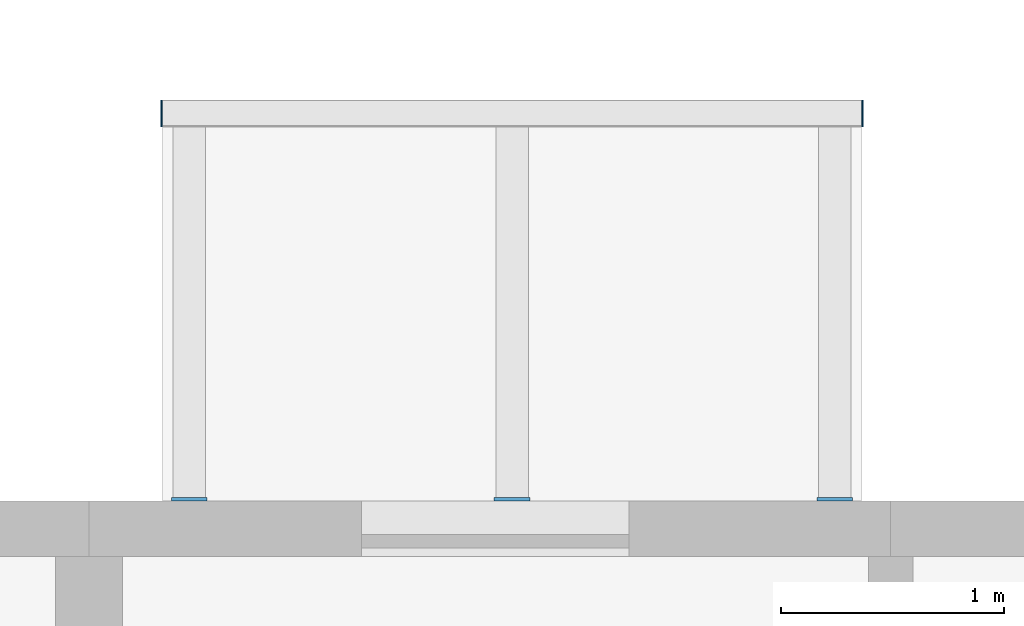
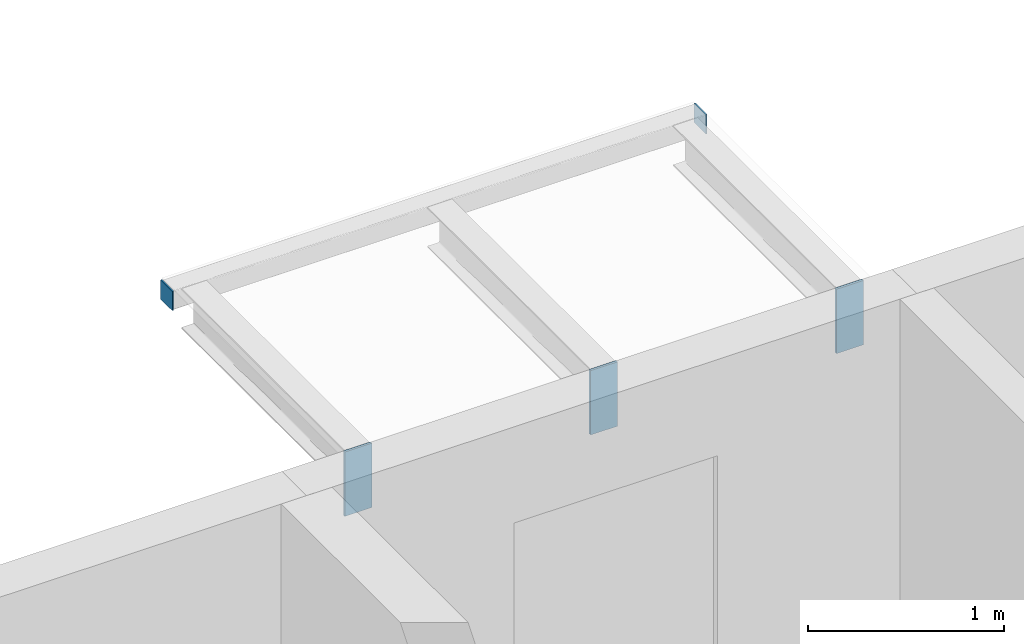
# One storey, part 65 of 87: 5 discrete accessories.
"""IFC4 building model written with IfcOpenShell, lengths in metres."""

import ifcopenshell
import ifcopenshell.guid

model = None  # the IFC model being written
_history = None  # IfcOwnerHistory: only IFC2X3 demands one
_inside = {}  # id of a spatial element -> (the spatial element, [elements in it])
_under = {}  # id of a project, library or spatial element -> (it, [spatial elements below it])
_declared = {}  # id of a project -> (the project, [libraries it declares])
_typed = {}  # id of a type object -> (the type object, [elements of that type])
_made_of = {}  # id of a material, layer set ... -> (it, [elements and type objects made of it])


def new_model(schema):
    """Start an empty IFC model of exactly this schema.

    Asked for "IFC4X3", IfcOpenShell would pick the latest addendum, in which some entities
    have other attributes; the version numbers below select the first issue.
    IFC2X3 requires an IfcOwnerHistory on every rooted entity: one is made here for all.
    """
    global model, _history
    if schema == "IFC4X3":
        model = ifcopenshell.file(schema_version=(4, 3, 0, 0))
    else:
        model = ifcopenshell.file(schema=schema)
    _inside.clear()
    _under.clear()
    _declared.clear()
    _typed.clear()
    _made_of.clear()
    _history = None
    if model.schema == "IFC2X3":
        org = make("IfcOrganization", Name="unknown")
        user = make(
            "IfcPersonAndOrganization",
            ThePerson=make("IfcPerson", FamilyName="unknown"),
            TheOrganization=org,
        )
        app = make(
            "IfcApplication",
            ApplicationDeveloper=org,
            Version="unknown",
            ApplicationFullName="unknown",
            ApplicationIdentifier="unknown",
        )
        _history = make(
            "IfcOwnerHistory",
            OwningUser=user,
            OwningApplication=app,
            ChangeAction="ADDED",
            CreationDate=0,
        )
    return model


def make(cls, **values):
    """One entity of the class cls with the attributes given. An attribute that is None is left unset."""
    return model.create_entity(
        cls, **{name: value for name, value in values.items() if value is not None}
    )


def rooted(cls, **values):
    """An entity with a GlobalId (a new one), such as an element, a storey or a relation."""
    return make(cls, GlobalId=ifcopenshell.guid.new(), OwnerHistory=_history, **values)


def si_unit(unit_type, name, prefix=None):
    """IfcSIUnit, for example si_unit("LENGTHUNIT", "METRE", prefix="MILLI")."""
    return make("IfcSIUnit", UnitType=unit_type, Prefix=prefix, Name=name)


def assignment(units):
    """IfcUnitAssignment: the units of a project."""
    return None if units is None else make("IfcUnitAssignment", Units=units)


def point(xyz):
    """IfcCartesianPoint."""
    return None if xyz is None else make("IfcCartesianPoint", Coordinates=xyz)


def direction(xyz):
    """IfcDirection."""
    return None if xyz is None else make("IfcDirection", DirectionRatios=xyz)


def frame(location, z_axis=None, x_axis=None):
    """IfcAxis2Placement3D, a coordinate frame: its origin and axes. An axis left out is left unset."""
    return make(
        "IfcAxis2Placement3D",
        Location=point(location),
        Axis=direction(z_axis),
        RefDirection=direction(x_axis),
    )


def frame_2d(location, x_axis=None):
    """IfcAxis2Placement2D, a coordinate frame in the plane: its origin and x axis."""
    return make(
        "IfcAxis2Placement2D", Location=point(location), RefDirection=direction(x_axis)
    )


def origin():
    """The frame at (0, 0, 0) with its axes left unset."""
    return frame((0.0, 0.0, 0.0))


def origin_2d():
    """The frame at (0, 0) in the plane with its x axis left unset."""
    return frame_2d((0.0, 0.0))


def place(relative_to, where):
    """IfcLocalPlacement: puts the frame where relative to a parent placement (None: the world)."""
    return make(
        "IfcLocalPlacement", PlacementRelTo=relative_to, RelativePlacement=where
    )


def context(
    kind, dimensions, precision=None, world=None, true_north=None, identifier=None
):
    """IfcGeometricRepresentationContext, for example the 3D "Model" context."""
    return make(
        "IfcGeometricRepresentationContext",
        ContextIdentifier=identifier,
        ContextType=kind,
        CoordinateSpaceDimension=dimensions,
        Precision=precision,
        WorldCoordinateSystem=world,
        TrueNorth=true_north,
    )


def subcontext(parent, identifier, kind, view, scale=None):
    """IfcGeometricRepresentationSubContext, for example "Body" below "Model"."""
    return make(
        "IfcGeometricRepresentationSubContext",
        ContextIdentifier=identifier,
        ContextType=kind,
        ParentContext=parent,
        TargetScale=scale,
        TargetView=view,
    )


def project(units=None, contexts=None):
    """IfcProject with its units and contexts."""
    return rooted(
        "IfcProject",
        Name="project",
        RepresentationContexts=contexts,
        UnitsInContext=assignment(units),
    )


def spatial(cls, under=None, at=None, **own):
    """A site, building, storey or space (cls), placed at a placement, below another one or the project."""
    s = rooted(cls, ObjectPlacement=at, **own)
    if under is not None:
        _under.setdefault(under.id(), (under, []))[1].append(s)
    return s


def profile(cls, at=None, kind="AREA", **sizes):
    """A parametric profile (cls). Its sizes go by their IFC names, for example OverallWidth=200.0."""
    return make(cls, ProfileType=kind, Position=at, **sizes)


def rectangle(**sizes):
    """IfcRectangleProfileDef."""
    return profile("IfcRectangleProfileDef", **sizes)


def extrude(swept, where, along, depth):
    """IfcExtrudedAreaSolid: the profile swept, set in the frame where, extruded along a direction by depth."""
    return make(
        "IfcExtrudedAreaSolid",
        SweptArea=swept,
        Position=where,
        ExtrudedDirection=direction(along),
        Depth=depth,
    )


def shape(context_of_items, identifier, shape_type, items):
    """IfcShapeRepresentation: the items that make up one representation, for example the "Body"."""
    return make(
        "IfcShapeRepresentation",
        ContextOfItems=context_of_items,
        RepresentationIdentifier=identifier,
        RepresentationType=shape_type,
        Items=items,
    )


def material(Name=None, Category=None):
    """IfcMaterial."""
    return make("IfcMaterial", Name=Name, Category=Category)


def layer(
    of_material, thickness, ventilated=None, Name=None, Category=None, Priority=None
):
    """IfcMaterialLayer: one layer of a wall or slab, of a material (None: an air gap)."""
    return make(
        "IfcMaterialLayer",
        Material=of_material,
        LayerThickness=thickness,
        IsVentilated=ventilated,
        Name=Name,
        Category=Category,
        Priority=Priority,
    )


def layer_set(layers, Name=None):
    """IfcMaterialLayerSet."""
    return make("IfcMaterialLayerSet", MaterialLayers=layers, LayerSetName=Name)


def made_of(thing, what):
    """Note that an element or type object is made of a material, layer set ...; save() writes the relation."""
    if what is not None:
        _made_of.setdefault(what.id(), (what, []))[1].append(thing)
    return thing


def type_object(cls, material=None, **own):
    """A type object (cls), such as IfcWallType, which elements share."""
    return made_of(rooted(cls, **own), material)


def element(
    cls,
    number,
    at=None,
    inside=None,
    cuts=None,
    type_object=None,
    material=None,
    context=None,
    identifier="Body",
    shape_type=None,
    held_by="IfcProductDefinitionShape",
    body=None,
    shapes=None,
    **own,
):
    """One element of the class cls, such as IfcWall. Its Tag is "e" and its number.

    at: its placement. inside: the storey or other place that contains it. cuts: it is an
    opening in that element (IfcRelVoidsElement). A single representation is given by context,
    identifier, shape_type and body (its items); several are given by shapes. held_by: the class
    of the entity that holds the representations. save() writes the other relations.
    """
    e = rooted(cls, Tag="e%d" % number, ObjectPlacement=at, **own)
    if body is not None:
        shapes = [shape(context, identifier, shape_type, body)]
    if shapes is not None:
        e.Representation = make(held_by, Representations=shapes)
    if inside is not None:
        _inside.setdefault(inside.id(), (inside, []))[1].append(e)
    if cuts is not None:
        rooted(
            "IfcRelVoidsElement", RelatingBuildingElement=cuts, RelatedOpeningElement=e
        )
    if type_object is not None:
        _typed.setdefault(type_object.id(), (type_object, []))[1].append(e)
    return made_of(e, material)


def aggregate(whole, parts):
    """IfcRelAggregates: a whole, such as a stair, and the parts it consists of."""
    return rooted("IfcRelAggregates", RelatingObject=whole, RelatedObjects=parts)


def save(model, path):
    """Write the relations noted so far, then the file.

    IfcRelAggregates (storeys below a building ...), IfcRelContainedInSpatialStructure (elements
    in a storey), IfcRelDefinesByType, IfcRelAssociatesMaterial and IfcRelDeclares: one each for
    every whole, place, type object, material and project.
    """
    for whole, parts in _under.values():
        aggregate(whole, parts)
    for where, things in _inside.values():
        rooted(
            "IfcRelContainedInSpatialStructure",
            RelatedElements=things,
            RelatingStructure=where,
        )
    for kind, things in _typed.values():
        rooted("IfcRelDefinesByType", RelatedObjects=things, RelatingType=kind)
    for what, things in _made_of.values():
        rooted("IfcRelAssociatesMaterial", RelatedObjects=things, RelatingMaterial=what)
    for by, libraries in _declared.values():
        rooted("IfcRelDeclares", RelatingContext=by, RelatedDefinitions=libraries)
    model.write(path)


model = new_model("IFC4")

# Units and contexts
model_context = context("Model", 3, precision=1e-05, world=origin(), true_north=direction((0.0, 1.0)))
body_context = subcontext(model_context, "Body", "Model", "MODEL_VIEW")
ifc_project = project(units=[si_unit("LENGTHUNIT", "METRE"), si_unit("AREAUNIT", "SQUARE_METRE"), si_unit("VOLUMEUNIT", "CUBIC_METRE"), si_unit("PLANEANGLEUNIT", "RADIAN"), si_unit("MASSUNIT", "GRAM", prefix="KILO")], contexts=[model_context])

# Site, building, storey
site_placement = place(None, origin())
site = spatial("IfcSite", under=ifc_project, at=site_placement, CompositionType="ELEMENT")
building_placement = place(site_placement, origin())
building = spatial("IfcBuilding", under=site, at=building_placement, Name="Ridgestep Commons", CompositionType="ELEMENT")
storey_placement = place(building_placement, frame((0.0, 0.0, 27.0)))
storey = spatial("IfcBuildingStorey", under=building, at=storey_placement, Name="L09", CompositionType="ELEMENT", Elevation=27.0)

# Discrete accessories
ifc_material_1 = material(Name="Weathering steel S355J2W", Category="steel")
ifc_layer_1 = layer(ifc_material_1, 0.014892578125)
ifc_layer_set_1 = layer_set([ifc_layer_1], Name="Tray bracket plate 15")
discrete_accessory_type_1 = type_object("IfcDiscreteAccessoryType", Name="Tray bracket plate 15", PredefinedType="BRACKET", material=ifc_layer_set_1)
for number, where, z_axis, x_axis, name in (
    (1, (79.64990234375, 23.007568359375, 2.588623046875), (0.0, 0.0, 1.0), (1.0, 0.0, 0.0), "Tray bracket A5T1-10.1"),
    (2, (81.10009765625, 23.007568359375, 2.588623046875), (0.0, 0.0, 1.0), (1.0, 0.0, 0.0), "Tray bracket A5T1-10.2"),
    (3, (82.550048828125, 23.007568359375, 2.588623046875), (0.0, 0.0, 1.0), (1.0, 0.0, 0.0), "Tray bracket A5T1-10.3"),
):
    element("IfcDiscreteAccessory", number, at=place(storey_placement, frame(where, z_axis=z_axis, x_axis=x_axis)), inside=storey, type_object=discrete_accessory_type_1, Name=name, PredefinedType="BRACKET", context=body_context, shape_type="SweptSolid", body=[
        extrude(rectangle(XDim=0.159912109375, YDim=0.014892578125, at=origin_2d()), origin(), (0.0, 0.0, 1.0), 0.4013671875),
    ])
ifc_material_2 = material(Name="Weathering steel S355J2W", Category="steel")
ifc_layer_2 = layer(ifc_material_2, 0.008056640625)
ifc_layer_set_2 = layer_set([ifc_layer_2], Name="Tray edge member end plate 120 x 120 x 8")
discrete_accessory_type_2 = type_object("IfcDiscreteAccessoryType", Name="Tray edge member end plate 120 x 120 x 8", PredefinedType="BRACKET", material=ifc_layer_set_2)
for number, where, z_axis, x_axis, name in (
    (4, (79.52587890625, 24.739990234375, 2.869873046875), (0.0, 0.0, 1.0), (1.0, 0.0, 0.0), "Tray edge member end plate A5T1-10 west"),
    (5, (82.674072265625, 24.739990234375, 2.869873046875), (0.0, 0.0, 1.0), (1.0, 0.0, 0.0), "Tray edge member end plate A5T1-10 east"),
):
    element("IfcDiscreteAccessory", number, at=place(storey_placement, frame(where, z_axis=z_axis, x_axis=x_axis)), inside=storey, type_object=discrete_accessory_type_2, Name=name, PredefinedType="BRACKET", context=body_context, shape_type="SweptSolid", body=[
        extrude(rectangle(XDim=0.008056640625, YDim=0.1201171875, at=origin_2d()), origin(), (0.0, 0.0, 1.0), 0.1201171875),
    ])

save(model, "model.ifc")
